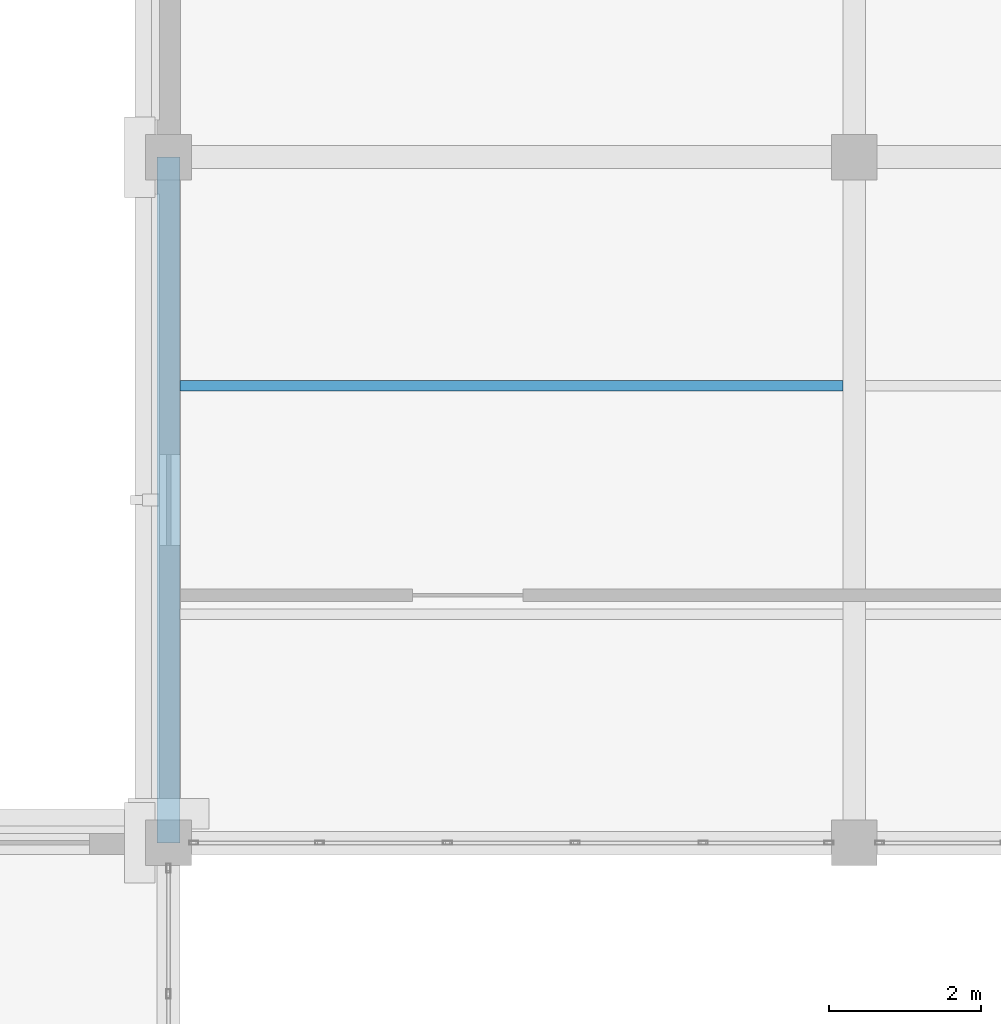
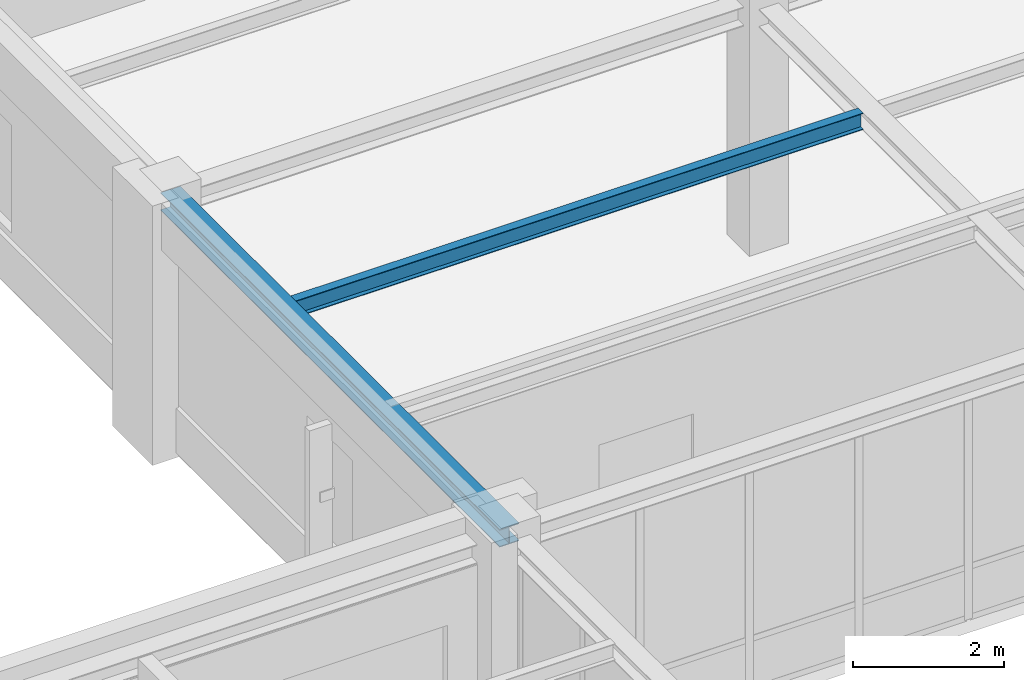
# One storey, part 91 of 130: 2 beams.
"""IFC4 building model written with IfcOpenShell, lengths in metres."""

from ifc_helpers import new_model, si_unit, direction, frame, origin, origin_2d, place, context, subcontext, project, spatial, i_section, extrude, material, material_profile, profile_set, type_object, element, save


model = new_model("IFC4")

# Units and contexts
model_context = context("Model", 3, precision=1e-05, world=origin(), true_north=direction((0.0, 1.0)))
body_context = subcontext(model_context, "Body", "Model", "MODEL_VIEW")
ifc_project = project(units=[si_unit("LENGTHUNIT", "METRE"), si_unit("AREAUNIT", "SQUARE_METRE"), si_unit("VOLUMEUNIT", "CUBIC_METRE"), si_unit("PLANEANGLEUNIT", "RADIAN"), si_unit("MASSUNIT", "GRAM", prefix="KILO")], contexts=[model_context])

# Site, building, storey
site_placement = place(None, origin())
site = spatial("IfcSite", under=ifc_project, at=site_placement, CompositionType="ELEMENT")
building_placement = place(site_placement, origin())
building = spatial("IfcBuilding", under=site, at=building_placement, Name="Lykobir Media Centre", CompositionType="ELEMENT")
storey_placement = place(building_placement, frame((0.0, 0.0, 19.199951171875)))
storey = spatial("IfcBuildingStorey", under=building, at=storey_placement, Name="L04", CompositionType="ELEMENT", Elevation=19.199951171875)

# Beams
ifc_material = material(Name="Steel S355", Category="steel")
ifc_material_profile_1 = material_profile(ifc_material, i_section(OverallWidth=0.300048828125, OverallDepth=0.2900390625, WebThickness=0.008544921875, FlangeThickness=0.013916015625, at=origin_2d()), Name="HEA 300")
ifc_profile_set_1 = profile_set([ifc_material_profile_1], Name="Steel S355")
beam_type_1 = type_object("IfcBeamType", Name="BM-HEA300", PredefinedType="BEAM", material=ifc_profile_set_1)
beam_1_placement = place(storey_placement, frame((99.0, 72.0, 3.804931640625), z_axis=(0.0, 1.0, 0.0), x_axis=(-1.0, 0.0, 0.0)))
element("IfcBeam", 1, at=beam_1_placement, inside=storey, type_object=beam_type_1, Name="Beam BM-L04-0990-0720-0990-0810-2300", PredefinedType="BEAM", context=body_context, shape_type="SweptSolid", body=[
    extrude(i_section(OverallWidth=0.300048828125, OverallDepth=0.2900390625, WebThickness=0.008544921875, FlangeThickness=0.013916015625, at=origin_2d()), origin(), (0.0, 0.0, 1.0), 9.0),
])
ifc_material_profile_2 = material_profile(ifc_material, i_section(OverallWidth=0.135009765625, OverallDepth=0.27001953125, WebThickness=0.006591796875, FlangeThickness=0.01025390625, at=origin_2d()), Name="IPE 270")
ifc_profile_set_2 = profile_set([ifc_material_profile_2], Name="Steel S355")
beam_type_2 = type_object("IfcBeamType", Name="JS-IPE270", PredefinedType="JOIST", material=ifc_profile_set_2)
beam_2_placement = place(storey_placement, frame((99.14990234375, 78.0, 3.81494140625), z_axis=(1.0, 0.0, 0.0), x_axis=(0.0, 1.0, 0.0)))
element("IfcBeam", 2, at=beam_2_placement, inside=storey, type_object=beam_type_2, Name="Beam BM-L04-0992-0780-1078-0780-2302", PredefinedType="JOIST", context=body_context, shape_type="SweptSolid", body=[
    extrude(i_section(OverallWidth=0.135009765625, OverallDepth=0.27001953125, WebThickness=0.006591796875, FlangeThickness=0.01025390625, at=origin_2d()), origin(), (0.0, 0.0, 1.0), 8.7001953125),
])

save(model, "model.ifc")
